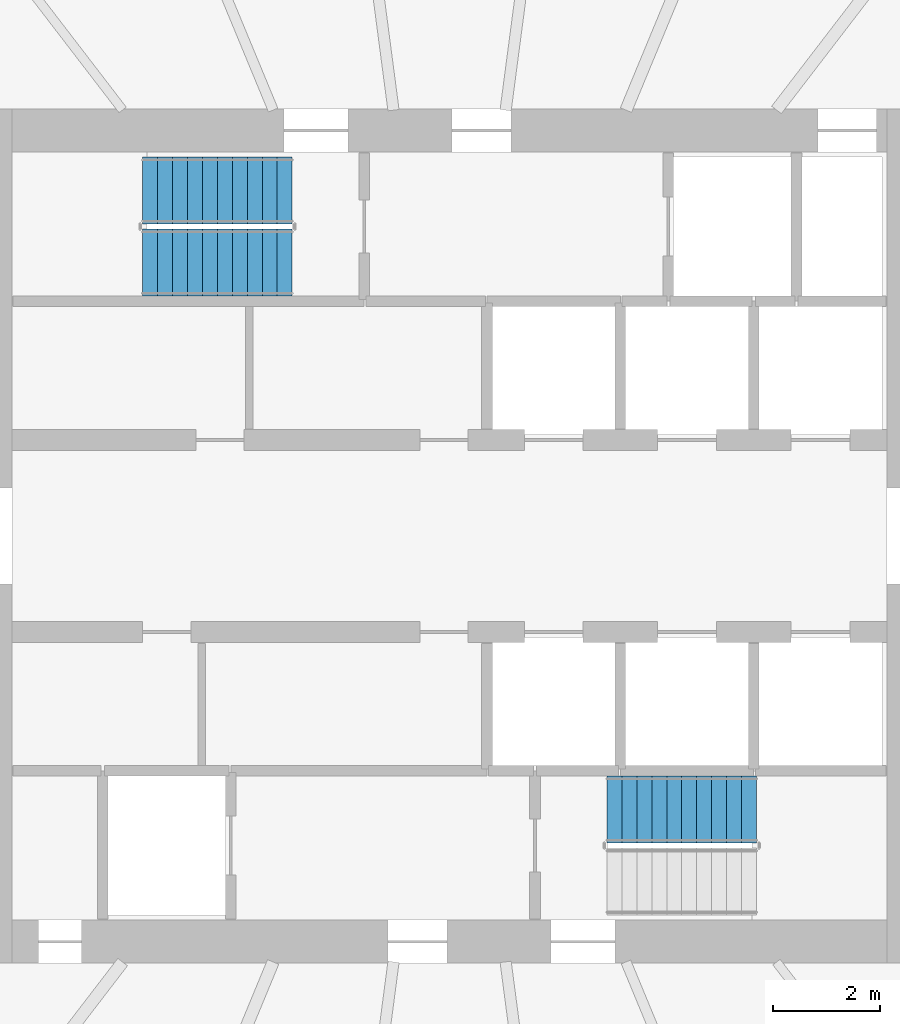
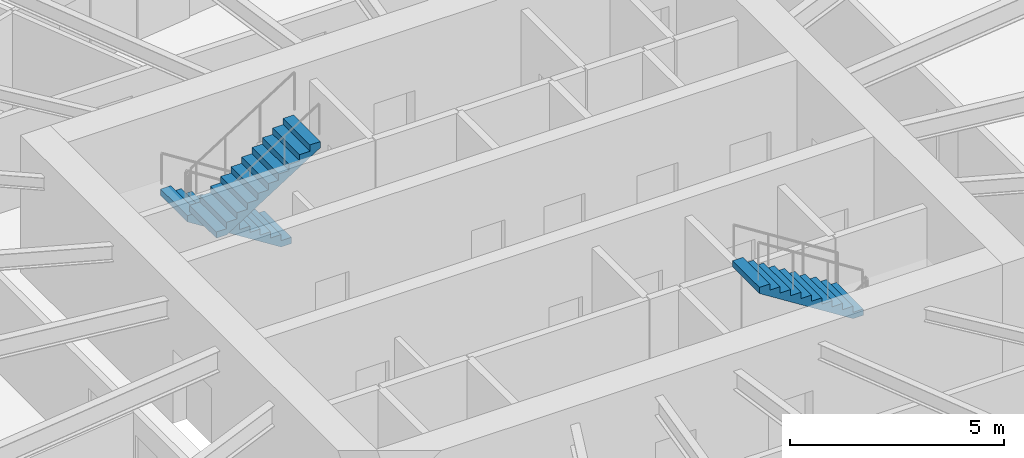
# One storey, part 12 of 15: 3 stair flights, 2 elements without a shape of their own.
"""IFC4 building model written with IfcOpenShell, lengths in metres."""

from ifc_helpers import new_model, si_unit, direction, frame, origin, place, context, subcontext, project, spatial, line, indexed_curve, outline, extrude, material, type_object, element, aggregate, save


model = new_model("IFC4")

# Units and contexts
model_context = context("Model", 3, precision=1e-05, world=origin(), true_north=direction((0.0, 1.0)))
body_context = subcontext(model_context, "Body", "Model", "MODEL_VIEW")
ifc_project = project(units=[si_unit("LENGTHUNIT", "METRE"), si_unit("AREAUNIT", "SQUARE_METRE"), si_unit("VOLUMEUNIT", "CUBIC_METRE"), si_unit("PLANEANGLEUNIT", "RADIAN"), si_unit("MASSUNIT", "GRAM", prefix="KILO")], contexts=[model_context])

# Site, building, storey
site_placement = place(None, origin())
site = spatial("IfcSite", under=ifc_project, at=site_placement, CompositionType="ELEMENT")
building_placement = place(site_placement, origin())
building = spatial("IfcBuilding", under=site, at=building_placement, Name="Spindrift Exchange Tower", CompositionType="ELEMENT")
storey_placement = place(building_placement, frame((0.0, 0.0, 176.0)))
storey = spatial("IfcBuildingStorey", under=building, at=storey_placement, Name="L42", CompositionType="ELEMENT", Elevation=176.0)

# Stair, stair flights
ifc_material = material(Name="Concrete 50 MPa", Category="concrete")
stair_type = type_object("IfcStairType", Name="ST-1250-R177", PredefinedType="HALF_TURN_STAIR", material=ifc_material)
stair_1_placement = place(storey_placement, origin())
stair_1 = element("IfcStair", 1, at=stair_1_placement, inside=storey, type_object=stair_type, Name="L42 Exit stair ST1", PredefinedType="HALF_TURN_STAIR")
stair_flight_type = type_object("IfcStairFlightType", Name="STF-1250-R177", PredefinedType="STRAIGHT", material=ifc_material)
stair_flight_1_placement = place(storey_placement, frame((49.050048828125, 54.47509765625, 0.0), z_axis=(0.0, 0.0, 1.0), x_axis=(-1.0, 0.0, 0.0)))
stair_flight_1 = element("IfcStairFlight", 2, at=stair_flight_1_placement, type_object=stair_flight_type, Name="ST1 flight 1", NumberOfRisers=11, NumberOfTreads=10, PredefinedType="STRAIGHT", RiserHeight=0.177272727, TreadLength=0.28, context=body_context, shape_type="SweptSolid", body=[
    extrude(outline(indexed_curve([(0.0, 0.0), (0.0, 0.177734375), (0.2802734375, 0.177734375), (0.2802734375, 0.3544921875), (0.5595703125, 0.3544921875), (0.5595703125, 0.5322265625), (0.83984375, 0.5322265625), (0.83984375, 0.708984375), (1.1201171875, 0.708984375), (1.1201171875, 0.88671875), (1.400390625, 0.88671875), (1.400390625, 1.0634765625), (1.6796875, 1.0634765625), (1.6796875, 1.2412109375), (1.9599609375, 1.2412109375), (1.9599609375, 1.41796875), (2.240234375, 1.41796875), (2.240234375, 1.595703125), (2.51953125, 1.595703125), (2.51953125, 1.7724609375), (2.7998046875, 1.7724609375), (2.7998046875, 1.9501953125), (2.7998046875, 1.595703125), (0.2802734375, 0.0)], segments=[line(1, 2, 3, 4, 5, 6, 7, 8, 9, 10, 11, 12, 13, 14, 15, 16, 17, 18, 19, 20, 21, 22, 23, 24, 1)], self_intersect=False)), frame((0.0, 0.625, 0.0), z_axis=(0.0, -1.0, 0.0), x_axis=(1.0, 0.0, 0.0)), (0.0, 0.0, 1.0), 1.25),
])
stair_flight_2_placement = place(storey_placement, frame((46.25, 53.125, 1.949951171875), z_axis=(0.0, 0.0, 1.0), x_axis=(1.0, 0.0, 0.0)))
stair_flight_2 = element("IfcStairFlight", 3, at=stair_flight_2_placement, type_object=stair_flight_type, Name="ST1 flight 2", NumberOfRisers=11, NumberOfTreads=10, PredefinedType="STRAIGHT", RiserHeight=0.177272727, TreadLength=0.28, context=body_context, shape_type="SweptSolid", body=[
    extrude(outline(indexed_curve([(0.0, 0.0), (0.0, 0.177734375), (0.2802734375, 0.177734375), (0.2802734375, 0.3544921875), (0.5595703125, 0.3544921875), (0.5595703125, 0.5322265625), (0.83984375, 0.5322265625), (0.83984375, 0.708984375), (1.1201171875, 0.708984375), (1.1201171875, 0.88671875), (1.400390625, 0.88671875), (1.400390625, 1.0634765625), (1.6796875, 1.0634765625), (1.6796875, 1.2412109375), (1.9599609375, 1.2412109375), (1.9599609375, 1.41796875), (2.240234375, 1.41796875), (2.240234375, 1.595703125), (2.51953125, 1.595703125), (2.51953125, 1.7724609375), (2.7998046875, 1.7724609375), (2.7998046875, 1.9501953125), (2.7998046875, 1.595703125), (0.2802734375, 0.0)], segments=[line(1, 2, 3, 4, 5, 6, 7, 8, 9, 10, 11, 12, 13, 14, 15, 16, 17, 18, 19, 20, 21, 22, 23, 24, 1)], self_intersect=False)), frame((0.0, 0.625, 0.0), z_axis=(0.0, -1.0, 0.0), x_axis=(1.0, 0.0, 0.0)), (0.0, 0.0, 1.0), 1.25),
])
aggregate(stair_1, [stair_flight_1, stair_flight_2])

# Stair, stair flight
stair_2_placement = place(storey_placement, origin())
stair_2 = element("IfcStair", 4, at=stair_2_placement, inside=storey, type_object=stair_type, Name="L42 Exit stair ST2", PredefinedType="HALF_TURN_STAIR")
stair_flight_3_placement = place(storey_placement, frame((57.75, 42.875, 1.949951171875), z_axis=(0.0, 0.0, 1.0), x_axis=(-1.0, 0.0, 0.0)))
stair_flight_3 = element("IfcStairFlight", 5, at=stair_flight_3_placement, type_object=stair_flight_type, Name="ST2 flight 2", NumberOfRisers=11, NumberOfTreads=10, PredefinedType="STRAIGHT", RiserHeight=0.177272727, TreadLength=0.28, context=body_context, shape_type="SweptSolid", body=[
    extrude(outline(indexed_curve([(0.0, 0.0), (0.0, 0.177734375), (0.2802734375, 0.177734375), (0.2802734375, 0.3544921875), (0.5595703125, 0.3544921875), (0.5595703125, 0.5322265625), (0.83984375, 0.5322265625), (0.83984375, 0.708984375), (1.1201171875, 0.708984375), (1.1201171875, 0.88671875), (1.400390625, 0.88671875), (1.400390625, 1.0634765625), (1.6796875, 1.0634765625), (1.6796875, 1.2412109375), (1.9599609375, 1.2412109375), (1.9599609375, 1.41796875), (2.240234375, 1.41796875), (2.240234375, 1.595703125), (2.51953125, 1.595703125), (2.51953125, 1.7724609375), (2.7998046875, 1.7724609375), (2.7998046875, 1.9501953125), (2.7998046875, 1.595703125), (0.2802734375, 0.0)], segments=[line(1, 2, 3, 4, 5, 6, 7, 8, 9, 10, 11, 12, 13, 14, 15, 16, 17, 18, 19, 20, 21, 22, 23, 24, 1)], self_intersect=False)), frame((0.0, 0.625, 0.0), z_axis=(0.0, -1.0, 0.0), x_axis=(1.0, 0.0, 0.0)), (0.0, 0.0, 1.0), 1.25),
])
aggregate(stair_2, [stair_flight_3])

save(model, "model.ifc")
